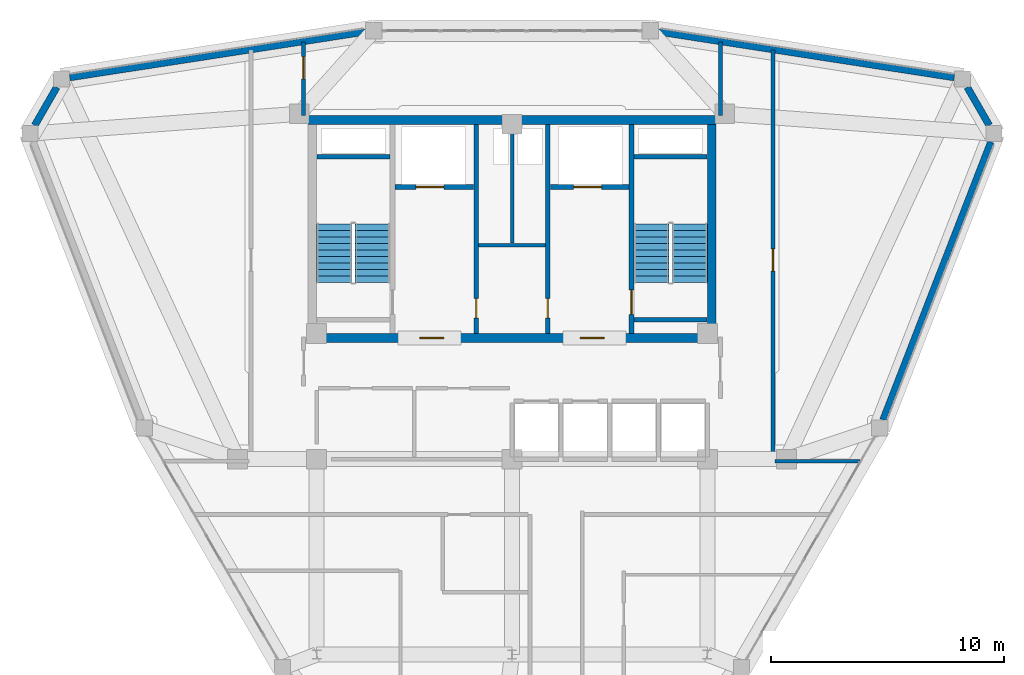
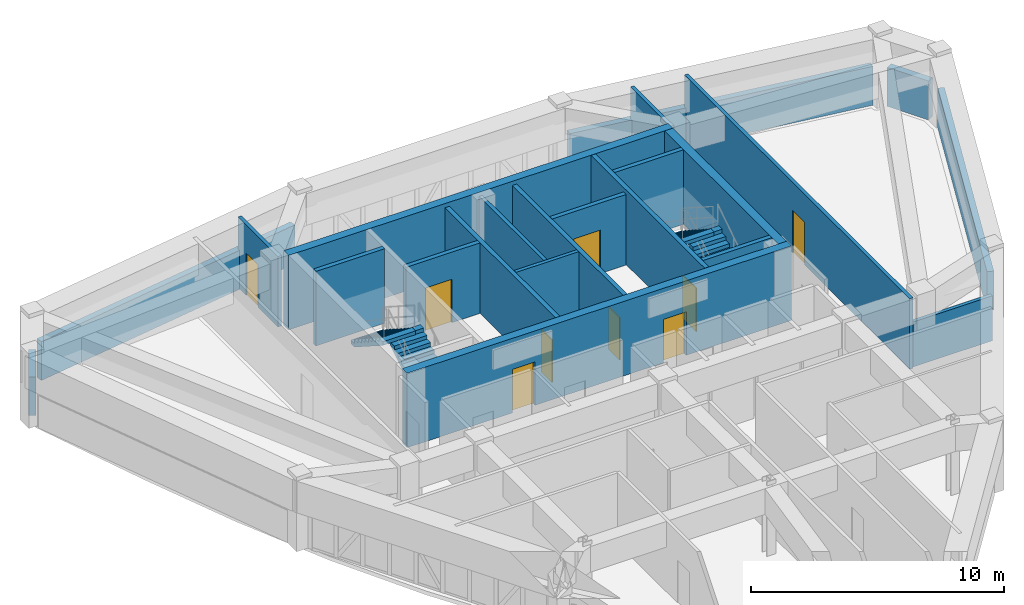
# One storey, part 12 of 14: 22 walls, 9 doors, 4 stair flights, 9 openings, 2 elements without a shape of their own.
"""IFC4 building model written with IfcOpenShell, lengths in metres."""

import ifcopenshell
import ifcopenshell.guid

model = None  # the IFC model being written
_history = None  # IfcOwnerHistory: only IFC2X3 demands one
_inside = {}  # id of a spatial element -> (the spatial element, [elements in it])
_under = {}  # id of a project, library or spatial element -> (it, [spatial elements below it])
_declared = {}  # id of a project -> (the project, [libraries it declares])
_typed = {}  # id of a type object -> (the type object, [elements of that type])
_made_of = {}  # id of a material, layer set ... -> (it, [elements and type objects made of it])


def new_model(schema):
    """Start an empty IFC model of exactly this schema.

    Asked for "IFC4X3", IfcOpenShell would pick the latest addendum, in which some entities
    have other attributes; the version numbers below select the first issue.
    IFC2X3 requires an IfcOwnerHistory on every rooted entity: one is made here for all.
    """
    global model, _history
    if schema == "IFC4X3":
        model = ifcopenshell.file(schema_version=(4, 3, 0, 0))
    else:
        model = ifcopenshell.file(schema=schema)
    _inside.clear()
    _under.clear()
    _declared.clear()
    _typed.clear()
    _made_of.clear()
    _history = None
    if model.schema == "IFC2X3":
        org = make("IfcOrganization", Name="unknown")
        user = make(
            "IfcPersonAndOrganization",
            ThePerson=make("IfcPerson", FamilyName="unknown"),
            TheOrganization=org,
        )
        app = make(
            "IfcApplication",
            ApplicationDeveloper=org,
            Version="unknown",
            ApplicationFullName="unknown",
            ApplicationIdentifier="unknown",
        )
        _history = make(
            "IfcOwnerHistory",
            OwningUser=user,
            OwningApplication=app,
            ChangeAction="ADDED",
            CreationDate=0,
        )
    return model


def make(cls, **values):
    """One entity of the class cls with the attributes given. An attribute that is None is left unset."""
    return model.create_entity(
        cls, **{name: value for name, value in values.items() if value is not None}
    )


def rooted(cls, **values):
    """An entity with a GlobalId (a new one), such as an element, a storey or a relation."""
    return make(cls, GlobalId=ifcopenshell.guid.new(), OwnerHistory=_history, **values)


def si_unit(unit_type, name, prefix=None):
    """IfcSIUnit, for example si_unit("LENGTHUNIT", "METRE", prefix="MILLI")."""
    return make("IfcSIUnit", UnitType=unit_type, Prefix=prefix, Name=name)


def derived_unit(unit_type, elements):
    """IfcDerivedUnit: a product of units, each with its exponent."""
    return make(
        "IfcDerivedUnit",
        Elements=[
            make("IfcDerivedUnitElement", Unit=unit, Exponent=power)
            for unit, power in elements
        ],
        UnitType=unit_type,
    )


def assignment(units):
    """IfcUnitAssignment: the units of a project."""
    return None if units is None else make("IfcUnitAssignment", Units=units)


def point(xyz):
    """IfcCartesianPoint."""
    return None if xyz is None else make("IfcCartesianPoint", Coordinates=xyz)


def direction(xyz):
    """IfcDirection."""
    return None if xyz is None else make("IfcDirection", DirectionRatios=xyz)


def frame(location, z_axis=None, x_axis=None):
    """IfcAxis2Placement3D, a coordinate frame: its origin and axes. An axis left out is left unset."""
    return make(
        "IfcAxis2Placement3D",
        Location=point(location),
        Axis=direction(z_axis),
        RefDirection=direction(x_axis),
    )


def frame_2d(location, x_axis=None):
    """IfcAxis2Placement2D, a coordinate frame in the plane: its origin and x axis."""
    return make(
        "IfcAxis2Placement2D", Location=point(location), RefDirection=direction(x_axis)
    )


def origin():
    """The frame at (0, 0, 0) with its axes left unset."""
    return frame((0.0, 0.0, 0.0))


def place(relative_to, where):
    """IfcLocalPlacement: puts the frame where relative to a parent placement (None: the world)."""
    return make(
        "IfcLocalPlacement", PlacementRelTo=relative_to, RelativePlacement=where
    )


def context(
    kind, dimensions, precision=None, world=None, true_north=None, identifier=None
):
    """IfcGeometricRepresentationContext, for example the 3D "Model" context."""
    return make(
        "IfcGeometricRepresentationContext",
        ContextIdentifier=identifier,
        ContextType=kind,
        CoordinateSpaceDimension=dimensions,
        Precision=precision,
        WorldCoordinateSystem=world,
        TrueNorth=true_north,
    )


def subcontext(parent, identifier, kind, view, scale=None):
    """IfcGeometricRepresentationSubContext, for example "Body" below "Model"."""
    return make(
        "IfcGeometricRepresentationSubContext",
        ContextIdentifier=identifier,
        ContextType=kind,
        ParentContext=parent,
        TargetScale=scale,
        TargetView=view,
    )


def project(units=None, contexts=None):
    """IfcProject with its units and contexts."""
    return rooted(
        "IfcProject",
        Name="project",
        RepresentationContexts=contexts,
        UnitsInContext=assignment(units),
    )


def spatial(cls, under=None, at=None, **own):
    """A site, building, storey or space (cls), placed at a placement, below another one or the project."""
    s = rooted(cls, ObjectPlacement=at, **own)
    if under is not None:
        _under.setdefault(under.id(), (under, []))[1].append(s)
    return s


def polyline(points):
    """IfcPolyline through the points."""
    return make("IfcPolyline", Points=[point(p) for p in points])


def profile(cls, at=None, kind="AREA", **sizes):
    """A parametric profile (cls). Its sizes go by their IFC names, for example OverallWidth=200.0."""
    return make(cls, ProfileType=kind, Position=at, **sizes)


def rectangle(**sizes):
    """IfcRectangleProfileDef."""
    return profile("IfcRectangleProfileDef", **sizes)


def outline(outer, holes=None, kind="AREA"):
    """IfcArbitraryClosedProfileDef: a profile drawn as a closed curve; with holes, ...WithVoids."""
    if holes is None:
        return make("IfcArbitraryClosedProfileDef", ProfileType=kind, OuterCurve=outer)
    return make(
        "IfcArbitraryProfileDefWithVoids",
        ProfileType=kind,
        OuterCurve=outer,
        InnerCurves=holes,
    )


def extrude(swept, where, along, depth):
    """IfcExtrudedAreaSolid: the profile swept, set in the frame where, extruded along a direction by depth."""
    return make(
        "IfcExtrudedAreaSolid",
        SweptArea=swept,
        Position=where,
        ExtrudedDirection=direction(along),
        Depth=depth,
    )


def shape(context_of_items, identifier, shape_type, items):
    """IfcShapeRepresentation: the items that make up one representation, for example the "Body"."""
    return make(
        "IfcShapeRepresentation",
        ContextOfItems=context_of_items,
        RepresentationIdentifier=identifier,
        RepresentationType=shape_type,
        Items=items,
    )


def material(Name=None, Category=None):
    """IfcMaterial."""
    return make("IfcMaterial", Name=Name, Category=Category)


def layer(
    of_material, thickness, ventilated=None, Name=None, Category=None, Priority=None
):
    """IfcMaterialLayer: one layer of a wall or slab, of a material (None: an air gap)."""
    return make(
        "IfcMaterialLayer",
        Material=of_material,
        LayerThickness=thickness,
        IsVentilated=ventilated,
        Name=Name,
        Category=Category,
        Priority=Priority,
    )


def layer_set(layers, Name=None):
    """IfcMaterialLayerSet."""
    return make("IfcMaterialLayerSet", MaterialLayers=layers, LayerSetName=Name)


def made_of(thing, what):
    """Note that an element or type object is made of a material, layer set ...; save() writes the relation."""
    if what is not None:
        _made_of.setdefault(what.id(), (what, []))[1].append(thing)
    return thing


def type_object(cls, material=None, **own):
    """A type object (cls), such as IfcWallType, which elements share."""
    return made_of(rooted(cls, **own), material)


def element(
    cls,
    number,
    at=None,
    inside=None,
    cuts=None,
    type_object=None,
    material=None,
    context=None,
    identifier="Body",
    shape_type=None,
    held_by="IfcProductDefinitionShape",
    body=None,
    shapes=None,
    **own,
):
    """One element of the class cls, such as IfcWall. Its Tag is "e" and its number.

    at: its placement. inside: the storey or other place that contains it. cuts: it is an
    opening in that element (IfcRelVoidsElement). A single representation is given by context,
    identifier, shape_type and body (its items); several are given by shapes. held_by: the class
    of the entity that holds the representations. save() writes the other relations.
    """
    e = rooted(cls, Tag="e%d" % number, ObjectPlacement=at, **own)
    if body is not None:
        shapes = [shape(context, identifier, shape_type, body)]
    if shapes is not None:
        e.Representation = make(held_by, Representations=shapes)
    if inside is not None:
        _inside.setdefault(inside.id(), (inside, []))[1].append(e)
    if cuts is not None:
        rooted(
            "IfcRelVoidsElement", RelatingBuildingElement=cuts, RelatedOpeningElement=e
        )
    if type_object is not None:
        _typed.setdefault(type_object.id(), (type_object, []))[1].append(e)
    return made_of(e, material)


def fill(opening, filler):
    """IfcRelFillsElement: the door or window that sits in an opening."""
    return rooted(
        "IfcRelFillsElement",
        RelatingOpeningElement=opening,
        RelatedBuildingElement=filler,
    )


def aggregate(whole, parts):
    """IfcRelAggregates: a whole, such as a stair, and the parts it consists of."""
    return rooted("IfcRelAggregates", RelatingObject=whole, RelatedObjects=parts)


def save(model, path):
    """Write the relations noted so far, then the file.

    IfcRelAggregates (storeys below a building ...), IfcRelContainedInSpatialStructure (elements
    in a storey), IfcRelDefinesByType, IfcRelAssociatesMaterial and IfcRelDeclares: one each for
    every whole, place, type object, material and project.
    """
    for whole, parts in _under.values():
        aggregate(whole, parts)
    for where, things in _inside.values():
        rooted(
            "IfcRelContainedInSpatialStructure",
            RelatedElements=things,
            RelatingStructure=where,
        )
    for kind, things in _typed.values():
        rooted("IfcRelDefinesByType", RelatedObjects=things, RelatingType=kind)
    for what, things in _made_of.values():
        rooted("IfcRelAssociatesMaterial", RelatedObjects=things, RelatingMaterial=what)
    for by, libraries in _declared.values():
        rooted("IfcRelDeclares", RelatingContext=by, RelatedDefinitions=libraries)
    model.write(path)


model = new_model("IFC4")

# Units and contexts
model_context = context("Model", 3, precision=1e-05, world=origin(), true_north=direction((0.0, 1.0)))
body_context = subcontext(model_context, "Body", "Model", "MODEL_VIEW")
ifc_project = project(units=[si_unit("LENGTHUNIT", "METRE"), si_unit("AREAUNIT", "SQUARE_METRE"), si_unit("VOLUMEUNIT", "CUBIC_METRE"), si_unit("PLANEANGLEUNIT", "RADIAN"), si_unit("MASSUNIT", "GRAM", prefix="KILO"), derived_unit("THERMALTRANSMITTANCEUNIT", [(si_unit("POWERUNIT", "WATT"), 1), (si_unit("LENGTHUNIT", "METRE"), -2), (si_unit("THERMODYNAMICTEMPERATUREUNIT", "KELVIN"), -1)])], contexts=[model_context])

# Site, building, storey
site_placement = place(None, origin())
site = spatial("IfcSite", under=ifc_project, at=site_placement, CompositionType="ELEMENT")
building_placement = place(site_placement, origin())
building = spatial("IfcBuilding", under=site, at=building_placement, Name="Korsvarv Bourse and Concert Hall", CompositionType="ELEMENT")
storey_placement = place(building_placement, frame((0.0, 0.0, 257.39990234375)))
storey = spatial("IfcBuildingStorey", under=building, at=storey_placement, Name="L67", CompositionType="ELEMENT", Elevation=257.39990234375)

# Wall
ifc_material_1 = material(Name="Concrete C50/60", Category="concrete")
ifc_layer_1 = layer(ifc_material_1, 0.3798828125)
ifc_layer_set_1 = layer_set([ifc_layer_1], Name="Concrete C50/60")
wall_type_1 = type_object("IfcWallType", Name="WL-CORE-380", PredefinedType="SHEAR", material=ifc_layer_set_1)
wall_1_placement = place(storey_placement, frame((27.219970703125, 46.989990234375, 0.0), z_axis=(0.0, 0.0, 1.0), x_axis=(1.0, 0.0, 0.0)))
element("IfcWall", 1, at=wall_1_placement, inside=storey, type_object=wall_type_1, Name="L67 North Core Shear Wall", PredefinedType="SHEAR", context=body_context, shape_type="SweptSolid", body=[
    extrude(rectangle(XDim=17.56005859375, YDim=0.3798828125, at=frame_2d((8.780029296875, 0.0))), origin(), (0.0, 0.0, 1.0), 3.60009765625),
])

# Wall, openings, doors
wall_2_placement = place(storey_placement, frame((27.219970703125, 37.610107421875, 0.0), z_axis=(0.0, 0.0, 1.0), x_axis=(1.0, 0.0, 0.0)))
wall_2 = element("IfcWall", 2, at=wall_2_placement, inside=storey, type_object=wall_type_1, Name="L67 South Core Shear Wall", PredefinedType="SHEAR", context=body_context, shape_type="SweptSolid", body=[
    extrude(rectangle(XDim=17.56005859375, YDim=0.3798828125, at=frame_2d((8.780029296875, 0.0))), origin(), (0.0, 0.0, 1.0), 3.60009765625),
])
opening_1_placement = place(wall_2_placement, frame((4.804931640625, 0.0, 0.0)))
opening_1 = element("IfcOpeningElement", 3, at=opening_1_placement, cuts=wall_2, Name="Opening D-01", PredefinedType="OPENING", context=body_context, shape_type="SweptSolid", body=[
    extrude(rectangle(XDim=1.050048828125, YDim=2.10009765625, at=frame_2d((0.52490234375, 1.050048828125))), frame((0.0, 0.199951171875, 0.0), z_axis=(0.0, -1.0, 0.0), x_axis=(1.0, 0.0, 0.0)), (0.0, 0.0, 1.0), 0.39990234375),
])
opening_2_placement = place(wall_2_placement, frame((11.705078125, 0.0, 0.0)))
opening_2 = element("IfcOpeningElement", 4, at=opening_2_placement, cuts=wall_2, Name="Opening D-01", PredefinedType="OPENING", context=body_context, shape_type="SweptSolid", body=[
    extrude(rectangle(XDim=1.050048828125, YDim=2.10009765625, at=frame_2d((0.52490234375, 1.050048828125))), frame((0.0, 0.199951171875, 0.0), z_axis=(0.0, -1.0, 0.0), x_axis=(1.0, 0.0, 0.0)), (0.0, 0.0, 1.0), 0.39990234375),
])
ifc_material_2 = material(Name="Steel S355 fire door", Category="steel")
door_type_1 = type_object("IfcDoorType", Name="DR-FD60", OperationType="NOTDEFINED", PredefinedType="DOOR", material=ifc_material_2)
door_1_placement = place(opening_1_placement, frame((1.050048828125, 0.0, 0.0), z_axis=(0.0, 0.0, 1.0), x_axis=(-1.0, 0.0, 0.0)))
door_1 = element("IfcDoor", 5, at=door_1_placement, inside=storey, type_object=door_type_1, Name="L67 firefighting lobby fire door DR-L67-FFLW", OperationType="SINGLE_SWING_RIGHT", OverallHeight=2.10009765625, OverallWidth=1.050048828125, PredefinedType="DOOR", context=body_context, shape_type="SweptSolid", body=[
    extrude(rectangle(XDim=1.050048828125, YDim=2.10009765625, at=frame_2d((0.52490234375, 1.050048828125))), frame((0.0, 0.02490234375, 0.0), z_axis=(0.0, -1.0, 0.0), x_axis=(1.0, 0.0, 0.0)), (0.0, 0.0, 1.0), 0.050048828125),
])
fill(opening_1, door_1)
door_2_placement = place(opening_2_placement, frame((1.050048828125, 0.0, 0.0), z_axis=(0.0, 0.0, 1.0), x_axis=(-1.0, 0.0, 0.0)))
door_2 = element("IfcDoor", 6, at=door_2_placement, inside=storey, type_object=door_type_1, Name="L67 firefighting lobby fire door DR-L67-FFLE", OperationType="SINGLE_SWING_LEFT", OverallHeight=2.10009765625, OverallWidth=1.050048828125, PredefinedType="DOOR", context=body_context, shape_type="SweptSolid", body=[
    extrude(rectangle(XDim=1.050048828125, YDim=2.10009765625, at=frame_2d((0.52490234375, 1.050048828125))), frame((0.0, 0.02490234375, 0.0), z_axis=(0.0, -1.0, 0.0), x_axis=(1.0, 0.0, 0.0)), (0.0, 0.0, 1.0), 0.050048828125),
])
fill(opening_2, door_2)

# Walls
wall_3_placement = place(storey_placement, frame((44.590087890625, 37.800048828125, 0.0), z_axis=(0.0, 0.0, 1.0), x_axis=(0.0, 1.0, 0.0)))
element("IfcWall", 7, at=wall_3_placement, inside=storey, type_object=wall_type_1, Name="L67 East Core Shear Wall", PredefinedType="SHEAR", context=body_context, shape_type="SweptSolid", body=[
    extrude(rectangle(XDim=9.0, YDim=0.3798828125, at=frame_2d((4.5, 0.0))), origin(), (0.0, 0.0, 1.0), 3.60009765625),
])
wall_4_placement = place(storey_placement, frame((27.610107421875, 45.39990234375, 0.0), z_axis=(0.0, 0.0, 1.0), x_axis=(1.0, 0.0, 0.0)))
element("IfcWall", 8, at=wall_4_placement, inside=storey, type_object=wall_type_1, Name="L67 stair shaft structural wall W-L67-ST1-N", PredefinedType="SHEAR", context=body_context, shape_type="SweptSolid", body=[
    extrude(rectangle(XDim=3.139892578125, YDim=0.199951171875, at=frame_2d((1.56982421875, 0.0))), origin(), (0.0, 0.0, 1.0), 3.60009765625),
])

# Wall, opening, door
wall_5_placement = place(storey_placement, frame((41.139892578125, 37.81005859375, 0.0), z_axis=(0.0, 0.0, 1.0), x_axis=(0.0, 1.0, 0.0)))
wall_5 = element("IfcWall", 9, at=wall_5_placement, inside=storey, type_object=wall_type_1, Name="L67 stair shaft structural wall W-L67-ST2-W", PredefinedType="SHEAR", context=body_context, shape_type="SweptSolid", body=[
    extrude(rectangle(XDim=8.97998046875, YDim=0.199951171875, at=frame_2d((4.489990234375, 0.0))), origin(), (0.0, 0.0, 1.0), 3.60009765625),
])
opening_3_placement = place(wall_5_placement, frame((0.820068359375, 0.0, 0.0)))
opening_3 = element("IfcOpeningElement", 10, at=opening_3_placement, cuts=wall_5, Name="Opening D-01", PredefinedType="OPENING", context=body_context, shape_type="SweptSolid", body=[
    extrude(rectangle(XDim=1.050048828125, YDim=2.10009765625, at=frame_2d((0.52490234375, 1.050048828125))), frame((0.0, 0.10986328125, 0.0), z_axis=(0.0, -1.0, 0.0), x_axis=(1.0, 0.0, 0.0)), (0.0, 0.0, 1.0), 0.219970703125),
])
door_3_placement = place(opening_3_placement, frame((1.050048828125, 0.0, 0.0), z_axis=(0.0, 0.0, 1.0), x_axis=(-1.0, 0.0, 0.0)))
door_3 = element("IfcDoor", 11, at=door_3_placement, inside=storey, type_object=door_type_1, Name="L67 interior door DR-L67-ST2", OperationType="SINGLE_SWING_LEFT", OverallHeight=2.10009765625, OverallWidth=1.050048828125, PredefinedType="DOOR", context=body_context, shape_type="SweptSolid", body=[
    extrude(rectangle(XDim=1.050048828125, YDim=2.10009765625, at=frame_2d((0.52490234375, 1.050048828125))), frame((0.0, 0.02490234375, 0.0), z_axis=(0.0, -1.0, 0.0), x_axis=(1.0, 0.0, 0.0)), (0.0, 0.0, 1.0), 0.050048828125),
])
fill(opening_3, door_3)

# Walls
for number, where, z_axis, x_axis, name in (
    (12, (41.25, 45.39990234375, 0.0), (0.0, 0.0, 1.0), (1.0, 0.0, 0.0), "L67 stair shaft structural wall W-L67-ST2-N"),
    (13, (41.25, 38.39990234375, 0.0), (0.0, 0.0, 1.0), (1.0, 0.0, 0.0), "L67 stair shaft structural wall W-L67-ST2-S"),
):
    element("IfcWall", number, at=place(storey_placement, frame(where, z_axis=z_axis, x_axis=x_axis)), inside=storey, type_object=wall_type_1, Name=name, PredefinedType="SHEAR", context=body_context, shape_type="SweptSolid", body=[
        extrude(rectangle(XDim=3.139892578125, YDim=0.199951171875, at=frame_2d((1.56982421875, 0.0))), origin(), (0.0, 0.0, 1.0), 3.60009765625),
    ])
ifc_material_3 = material(Name="Precast concrete C45/55 with terracotta rainscreen", Category="concrete")
ifc_layer_2 = layer(ifc_material_3, 0.300048828125)
ifc_layer_set_2 = layer_set([ifc_layer_2], Name="Precast concrete C45/55 with terracotta rainscreen")
wall_type_2 = type_object("IfcWallType", Name="WL-EXT-TC1", PredefinedType="SOLIDWALL", material=ifc_layer_set_2)
for number, where, z_axis, x_axis, name in (
    (14, (56.520263671875, 46.754150390625, 0.0), (0.0, 0.0, 1.0), (-0.499994028088, 0.866028851642, 0.0), "L67 terracotta exterior wall EW-L67-B01"),
    (15, (16.426513671875, 48.39404296875, 0.0), (0.0, 0.0, 1.0), (-0.499994028088, -0.866028851642, 0.0), "L67 terracotta exterior wall EW-L67-B05"),
):
    element("IfcWall", number, at=place(storey_placement, frame(where, z_axis=z_axis, x_axis=x_axis)), inside=storey, type_object=wall_type_2, Name=name, PredefinedType="SOLIDWALL", context=body_context, shape_type="SweptSolid", body=[
        extrude(rectangle(XDim=1.8935546875, YDim=0.300048828125, at=frame_2d((0.94677734375, 0.0))), origin(), (0.0, 0.0, 1.0), 1.880126953125),
    ])
ifc_material_4 = material(Name="Precast concrete C45/55 with fluted terracotta pier", Category="concrete")
ifc_layer_3 = layer(ifc_material_4, 0.280029296875)
ifc_layer_set_3 = layer_set([ifc_layer_3], Name="Precast concrete C45/55 with fluted terracotta pier")
wall_type_3 = type_object("IfcWallType", Name="WL-EXT-TC2", PredefinedType="SOLIDWALL", material=ifc_layer_set_3)
for number, where, z_axis, x_axis, name in (
    (16, (55.013427734375, 48.8037109375, 0.0), (0.0, 0.0, 1.0), (-0.988274295057, 0.152688957457, 0.0), "L67 terracotta exterior wall EW-L67-B02"),
    (17, (29.69921875, 50.767822265625, 0.0), (0.0, 0.0, 1.0), (-0.988274295057, -0.152688957457, 0.0), "L67 terracotta exterior wall EW-L67-B04"),
):
    element("IfcWall", number, at=place(storey_placement, frame(where, z_axis=z_axis, x_axis=x_axis)), inside=storey, type_object=wall_type_3, Name=name, PredefinedType="SOLIDWALL", context=body_context, shape_type="SweptSolid", body=[
        extrude(rectangle(XDim=12.863525390625, YDim=0.280029296875, at=frame_2d((6.431640625, 0.0))), origin(), (0.0, 0.0, 1.0), 1.880126953125),
    ])
wall_6_placement = place(storey_placement, frame((51.947509765625, 34.0927734375, 0.0), z_axis=(0.0, 0.0, 1.0), x_axis=(0.36191228283, 0.932212153716, 0.0)))
element("IfcWall", 18, at=wall_6_placement, inside=storey, type_object=wall_type_3, Name="L67 terracotta exterior wall EW-L67-B12", PredefinedType="SOLIDWALL", context=body_context, shape_type="SweptSolid", body=[
    extrude(rectangle(XDim=12.820556640625, YDim=0.280029296875, at=frame_2d((6.41015625, 0.0))), origin(), (0.0, 0.0, 1.0), 1.880126953125),
])

# Wall, opening, door
ifc_material_5 = material(Name="Reinforced concrete blockwork C35/45 fire wall", Category="concrete")
ifc_layer_4 = layer(ifc_material_5, 0.199951171875)
ifc_layer_set_4 = layer_set([ifc_layer_4], Name="Reinforced concrete blockwork C35/45 fire wall")
wall_type_4 = type_object("IfcWallType", Name="WL-INT-EI120", PredefinedType="PARTITIONING", material=ifc_layer_set_4)
wall_7_placement = place(storey_placement, frame((30.969970703125, 44.10009765625, 0.0), z_axis=(0.0, 0.0, 1.0), x_axis=(1.0, 0.0, 0.0)))
wall_7 = element("IfcWall", 19, at=wall_7_placement, inside=storey, type_object=wall_type_4, Name="L67 interior partition wall W-L67-FF1-S", PredefinedType="PARTITIONING", context=body_context, shape_type="SweptSolid", body=[
    extrude(rectangle(XDim=3.380126953125, YDim=0.199951171875, at=frame_2d((1.68994140625, 0.0))), origin(), (0.0, 0.0, 1.0), 3.41015625),
])
opening_4_placement = place(wall_7_placement, frame((0.89990234375, 0.0, 0.0)))
opening_4 = element("IfcOpeningElement", 20, at=opening_4_placement, cuts=wall_7, Name="Opening LD-1", PredefinedType="OPENING", context=body_context, shape_type="SweptSolid", body=[
    extrude(rectangle(XDim=1.199951171875, YDim=2.10009765625, at=frame_2d((0.60009765625, 1.050048828125))), frame((0.0, 0.10986328125, 0.0), z_axis=(0.0, -1.0, 0.0), x_axis=(1.0, 0.0, 0.0)), (0.0, 0.0, 1.0), 0.219970703125),
])
ifc_material_6 = material(Name="Stainless Steel S355 firefighting lift landing door", Category="steel")
door_type_2 = type_object("IfcDoorType", Name="DR-LIFT-FF", OperationType="DOUBLE_DOOR_SLIDING", PredefinedType="DOOR", material=ifc_material_6)
door_4_placement = place(opening_4_placement, origin())
door_4 = element("IfcDoor", 21, at=door_4_placement, inside=storey, type_object=door_type_2, Name="L67 lift sliding landing door LD-L67-FF1", OperationType="DOUBLE_DOOR_SLIDING", OverallHeight=2.10009765625, OverallWidth=1.199951171875, PredefinedType="DOOR", context=body_context, shape_type="SweptSolid", body=[
    extrude(rectangle(XDim=1.199951171875, YDim=2.10009765625, at=frame_2d((0.60009765625, 1.050048828125))), frame((0.0, 0.02490234375, 0.0), z_axis=(0.0, -1.0, 0.0), x_axis=(1.0, 0.0, 0.0)), (0.0, 0.0, 1.0), 0.050048828125),
])
fill(opening_4, door_4)

wall_8_placement = place(storey_placement, frame((37.64990234375, 44.10009765625, 0.0), z_axis=(0.0, 0.0, 1.0), x_axis=(1.0, 0.0, 0.0)))
wall_8 = element("IfcWall", 22, at=wall_8_placement, inside=storey, type_object=wall_type_4, Name="L67 interior partition wall W-L67-FF2-S", PredefinedType="PARTITIONING", context=body_context, shape_type="SweptSolid", body=[
    extrude(rectangle(XDim=3.380126953125, YDim=0.199951171875, at=frame_2d((1.68994140625, 0.0))), origin(), (0.0, 0.0, 1.0), 3.41015625),
])
opening_5_placement = place(wall_8_placement, frame((1.0, 0.0, 0.0)))
opening_5 = element("IfcOpeningElement", 23, at=opening_5_placement, cuts=wall_8, Name="Opening LD-1", PredefinedType="OPENING", context=body_context, shape_type="SweptSolid", body=[
    extrude(rectangle(XDim=1.199951171875, YDim=2.10009765625, at=frame_2d((0.60009765625, 1.050048828125))), frame((0.0, 0.10986328125, 0.0), z_axis=(0.0, -1.0, 0.0), x_axis=(1.0, 0.0, 0.0)), (0.0, 0.0, 1.0), 0.219970703125),
])
door_5_placement = place(opening_5_placement, origin())
door_5 = element("IfcDoor", 24, at=door_5_placement, inside=storey, type_object=door_type_2, Name="L67 lift sliding landing door LD-L67-FF2", OperationType="DOUBLE_DOOR_SLIDING", OverallHeight=2.10009765625, OverallWidth=1.199951171875, PredefinedType="DOOR", context=body_context, shape_type="SweptSolid", body=[
    extrude(rectangle(XDim=1.199951171875, YDim=2.10009765625, at=frame_2d((0.60009765625, 1.050048828125))), frame((0.0, 0.02490234375, 0.0), z_axis=(0.0, -1.0, 0.0), x_axis=(1.0, 0.0, 0.0)), (0.0, 0.0, 1.0), 0.050048828125),
])
fill(opening_5, door_5)

wall_9_placement = place(storey_placement, frame((34.4599609375, 37.81005859375, 0.0), z_axis=(0.0, 0.0, 1.0), x_axis=(0.0, 1.0, 0.0)))
wall_9 = element("IfcWall", 25, at=wall_9_placement, inside=storey, type_object=wall_type_4, Name="L67 interior partition wall W-L67-CSB-W", PredefinedType="PARTITIONING", context=body_context, shape_type="SweptSolid", body=[
    extrude(rectangle(XDim=8.97998046875, YDim=0.199951171875, at=frame_2d((4.489990234375, 0.0))), origin(), (0.0, 0.0, 1.0), 3.41015625),
])
opening_6_placement = place(wall_9_placement, frame((0.64990234375, 0.0, 0.0)))
opening_6 = element("IfcOpeningElement", 26, at=opening_6_placement, cuts=wall_9, Name="Opening D-05", PredefinedType="OPENING", context=body_context, shape_type="SweptSolid", body=[
    extrude(rectangle(XDim=0.85009765625, YDim=2.050048828125, at=frame_2d((0.425048828125, 1.02490234375))), frame((0.0, 0.10986328125, 0.0), z_axis=(0.0, -1.0, 0.0), x_axis=(1.0, 0.0, 0.0)), (0.0, 0.0, 1.0), 0.219970703125),
])
door_type_3 = type_object("IfcDoorType", Name="DR-FD60-850X2050", OperationType="NOTDEFINED", PredefinedType="DOOR", material=ifc_material_2)
door_6_placement = place(opening_6_placement, frame((0.85009765625, 0.0, 0.0), z_axis=(0.0, 0.0, 1.0), x_axis=(-1.0, 0.0, 0.0)))
door_6 = element("IfcDoor", 27, at=door_6_placement, inside=storey, type_object=door_type_3, Name="L67 interior door DR-L67-CSB1", OperationType="SINGLE_SWING_RIGHT", OverallHeight=2.050048828125, OverallWidth=0.85009765625, PredefinedType="DOOR", context=body_context, shape_type="SweptSolid", body=[
    extrude(rectangle(XDim=0.85009765625, YDim=2.050048828125, at=frame_2d((0.425048828125, 1.02490234375))), frame((0.0, 0.02490234375, 0.0), z_axis=(0.0, -1.0, 0.0), x_axis=(1.0, 0.0, 0.0)), (0.0, 0.0, 1.0), 0.050048828125),
])
fill(opening_6, door_6)

wall_10_placement = place(storey_placement, frame((37.5400390625, 37.81005859375, 0.0), z_axis=(0.0, 0.0, 1.0), x_axis=(0.0, 1.0, 0.0)))
wall_10 = element("IfcWall", 28, at=wall_10_placement, inside=storey, type_object=wall_type_4, Name="L67 interior partition wall W-L67-CSB-E", PredefinedType="PARTITIONING", context=body_context, shape_type="SweptSolid", body=[
    extrude(rectangle(XDim=8.97998046875, YDim=0.199951171875, at=frame_2d((4.489990234375, 0.0))), origin(), (0.0, 0.0, 1.0), 3.41015625),
])
opening_7_placement = place(wall_10_placement, frame((0.64990234375, 0.0, 0.0)))
opening_7 = element("IfcOpeningElement", 29, at=opening_7_placement, cuts=wall_10, Name="Opening D-05", PredefinedType="OPENING", context=body_context, shape_type="SweptSolid", body=[
    extrude(rectangle(XDim=0.85009765625, YDim=2.050048828125, at=frame_2d((0.425048828125, 1.02490234375))), frame((0.0, 0.10986328125, 0.0), z_axis=(0.0, -1.0, 0.0), x_axis=(1.0, 0.0, 0.0)), (0.0, 0.0, 1.0), 0.219970703125),
])
door_7_placement = place(opening_7_placement, origin())
door_7 = element("IfcDoor", 30, at=door_7_placement, inside=storey, type_object=door_type_3, Name="L67 interior door DR-L67-CSB2", OperationType="SINGLE_SWING_LEFT", OverallHeight=2.050048828125, OverallWidth=0.85009765625, PredefinedType="DOOR", context=body_context, shape_type="SweptSolid", body=[
    extrude(rectangle(XDim=0.85009765625, YDim=2.050048828125, at=frame_2d((0.425048828125, 1.02490234375))), frame((0.0, 0.02490234375, 0.0), z_axis=(0.0, -1.0, 0.0), x_axis=(1.0, 0.0, 0.0)), (0.0, 0.0, 1.0), 0.050048828125),
])
fill(opening_7, door_7)

# Walls
ifc_material_7 = material(Name="Double-stud fire-rated acoustic partition", Category="gypsum")
ifc_layer_5 = layer(ifc_material_7, 0.159912109375)
ifc_layer_set_5 = layer_set([ifc_layer_5], Name="Double-stud fire-rated acoustic partition")
wall_type_5 = type_object("IfcWallType", Name="WL-INT-EI60", PredefinedType="PARTITIONING", material=ifc_layer_set_5)
wall_11_placement = place(storey_placement, frame((34.570068359375, 41.60009765625, 0.0), z_axis=(0.0, 0.0, 1.0), x_axis=(1.0, 0.0, 0.0)))
element("IfcWall", 31, at=wall_11_placement, inside=storey, type_object=wall_type_5, Name="L67 interior partition wall W-L67-K1", PredefinedType="PARTITIONING", context=body_context, shape_type="SweptSolid", body=[
    extrude(rectangle(XDim=2.85986328125, YDim=0.159912109375, at=frame_2d((1.429931640625, 0.0))), origin(), (0.0, 0.0, 1.0), 3.41015625),
])
wall_12_placement = place(storey_placement, frame((36.0048828125, 41.68994140625, 0.0), z_axis=(0.0, 0.0, 1.0), x_axis=(0.0, 1.0, 0.0)))
element("IfcWall", 32, at=wall_12_placement, inside=storey, type_object=wall_type_5, Name="L67 interior partition wall W-L67-K2", PredefinedType="PARTITIONING", context=body_context, shape_type="SweptSolid", body=[
    extrude(rectangle(XDim=5.10009765625, YDim=0.159912109375, at=frame_2d((2.550048828125, 0.0))), origin(), (0.0, 0.0, 1.0), 3.41015625),
])

# Wall, opening, door
wall_13_placement = place(storey_placement, frame((47.22509765625, 32.159912109375, 0.0), z_axis=(0.0, 0.0, 1.0), x_axis=(0.0, 1.0, 0.0)))
wall_13 = element("IfcWall", 33, at=wall_13_placement, inside=storey, type_object=wall_type_5, Name="L67 interior partition wall W-L67-TCOR-01", PredefinedType="PARTITIONING", context=body_context, shape_type="SweptSolid", body=[
    extrude(rectangle(XDim=17.8271484375, YDim=0.159912109375, at=frame_2d((8.91357421875, 0.0))), origin(), (0.0, 0.0, 1.0), 3.41015625),
])
opening_8_placement = place(wall_13_placement, frame((8.330322265625, 0.0, 0.0)))
opening_8 = element("IfcOpeningElement", 34, at=opening_8_placement, cuts=wall_13, Name="Opening D-02", PredefinedType="OPENING", context=body_context, shape_type="SweptSolid", body=[
    extrude(rectangle(XDim=0.949951171875, YDim=2.050048828125, at=frame_2d((0.47509765625, 1.02490234375))), frame((0.0, 0.08984375, 0.0), z_axis=(0.0, -1.0, 0.0), x_axis=(1.0, 0.0, 0.0)), (0.0, 0.0, 1.0), 0.179931640625),
])
ifc_material_8 = material(Name="Timber and steel acoustic fire door", Category="wood")
door_type_4 = type_object("IfcDoorType", Name="DR-FD30", OperationType="NOTDEFINED", PredefinedType="DOOR", material=ifc_material_8)
door_8_placement = place(opening_8_placement, origin())
door_8 = element("IfcDoor", 35, at=door_8_placement, inside=storey, type_object=door_type_4, Name="L67 interior door DR-L67-TCOR-NEP1", OperationType="SINGLE_SWING_RIGHT", OverallHeight=2.050048828125, OverallWidth=0.949951171875, PredefinedType="DOOR", context=body_context, shape_type="SweptSolid", body=[
    extrude(rectangle(XDim=0.949951171875, YDim=2.050048828125, at=frame_2d((0.47509765625, 1.02490234375))), frame((0.0, 0.02490234375, 0.0), z_axis=(0.0, -1.0, 0.0), x_axis=(1.0, 0.0, 0.0)), (0.0, 0.0, 1.0), 0.050048828125),
])
fill(opening_8, door_8)

# Wall
wall_14_placement = place(storey_placement, frame((47.306884765625, 32.31494140625, 0.0), z_axis=(0.0, 0.0, 1.0), x_axis=(1.0, 0.0, 0.0)))
element("IfcWall", 36, at=wall_14_placement, inside=storey, type_object=wall_type_5, Name="L67 interior partition wall W-L67-TCOR-08", PredefinedType="PARTITIONING", context=body_context, shape_type="SweptSolid", body=[
    extrude(rectangle(XDim=3.661376953125, YDim=0.159912109375, at=frame_2d((1.83056640625, 0.0))), origin(), (0.0, 0.0, 1.0), 2.170166015625),
])

# Wall, opening, door
wall_15_placement = place(storey_placement, frame((27.034912109375, 47.179931640625, 0.0), z_axis=(0.0, 0.0, 1.0), x_axis=(0.0, 1.0, 0.0)))
wall_15 = element("IfcWall", 37, at=wall_15_placement, inside=storey, type_object=wall_type_5, Name="L67 interior partition wall W-L67-TCOR-09", PredefinedType="PARTITIONING", context=body_context, shape_type="SweptSolid", body=[
    extrude(rectangle(XDim=3.15625, YDim=0.159912109375, at=frame_2d((1.578125, 0.0))), origin(), (0.0, 0.0, 1.0), 3.41015625),
])
opening_9_placement = place(wall_15_placement, frame((1.576171875, 0.0, 0.0)))
opening_9 = element("IfcOpeningElement", 38, at=opening_9_placement, cuts=wall_15, Name="Opening D-02", PredefinedType="OPENING", context=body_context, shape_type="SweptSolid", body=[
    extrude(rectangle(XDim=0.949951171875, YDim=2.050048828125, at=frame_2d((0.47509765625, 1.02490234375))), frame((0.0, 0.08984375, 0.0), z_axis=(0.0, -1.0, 0.0), x_axis=(1.0, 0.0, 0.0)), (0.0, 0.0, 1.0), 0.179931640625),
])
door_9_placement = place(opening_9_placement, origin())
door_9 = element("IfcDoor", 39, at=door_9_placement, inside=storey, type_object=door_type_4, Name="L67 interior door DR-L67-TCOR-NWB4", OperationType="SINGLE_SWING_LEFT", OverallHeight=2.050048828125, OverallWidth=0.949951171875, PredefinedType="DOOR", context=body_context, shape_type="SweptSolid", body=[
    extrude(rectangle(XDim=0.949951171875, YDim=2.050048828125, at=frame_2d((0.47509765625, 1.02490234375))), frame((0.0, 0.02490234375, 0.0), z_axis=(0.0, -1.0, 0.0), x_axis=(1.0, 0.0, 0.0)), (0.0, 0.0, 1.0), 0.050048828125),
])
fill(opening_9, door_9)

# Wall
wall_16_placement = place(storey_placement, frame((44.965087890625, 47.18310546875, 0.0), z_axis=(0.0, 0.0, 1.0), x_axis=(0.0, 1.0, 0.0)))
element("IfcWall", 40, at=wall_16_placement, inside=storey, type_object=wall_type_5, Name="L67 interior partition wall W-L67-TCOR-10", PredefinedType="PARTITIONING", context=body_context, shape_type="SweptSolid", body=[
    extrude(rectangle(XDim=3.153076171875, YDim=0.159912109375, at=frame_2d((1.57666015625, 0.0))), origin(), (0.0, 0.0, 1.0), 3.41015625),
])

# Stair, stair flights
ifc_material_9 = material(Name="Precast concrete C45/55", Category="concrete")
stair_type = type_object("IfcStairType", Name="STR-TYPE-04", PredefinedType="HALF_TURN_STAIR", material=ifc_material_9)
stair_1_placement = place(storey_placement, origin())
stair_1 = element("IfcStair", 41, at=stair_1_placement, inside=storey, type_object=stair_type, Name="L67 Tower West Exit Stair ST-T1", PredefinedType="HALF_TURN_STAIR")
stair_flight_type = type_object("IfcStairFlightType", Name="FLT-TYPE-04", PredefinedType="STRAIGHT", material=ifc_material_9)
stair_flight_1_placement = place(storey_placement, frame((30.010009765625, 40.0, 0.0), z_axis=(0.0, 0.0, 1.0), x_axis=(0.0, 1.0, 0.0)))
stair_flight_1 = element("IfcStairFlight", 42, at=stair_flight_1_placement, type_object=stair_flight_type, Name="ST-T1 flight 1", NumberOfRisers=10, NumberOfTreads=9, PredefinedType="STRAIGHT", RiserHeight=0.18, TreadLength=0.28, context=body_context, shape_type="SweptSolid", body=[
    extrude(outline(polyline([(0.0, 0.0), (0.0, 0.179931640625), (0.280029296875, 0.179931640625), (0.280029296875, 0.360107421875), (0.56005859375, 0.360107421875), (0.56005859375, 0.5400390625), (0.840087890625, 0.5400390625), (0.840087890625, 0.719970703125), (1.1201171875, 0.719970703125), (1.1201171875, 0.89990234375), (1.39990234375, 0.89990234375), (1.39990234375, 1.080078125), (1.679931640625, 1.080078125), (1.679931640625, 1.260009765625), (1.9599609375, 1.260009765625), (1.9599609375, 1.43994140625), (2.239990234375, 1.43994140625), (2.239990234375, 1.6201171875), (2.52001953125, 1.6201171875), (2.52001953125, 1.800048828125), (2.52001953125, 1.44189453125), (0.277099609375, 0.0), (0.0, 0.0)])), frame((0.0, 0.75, 0.0), z_axis=(0.0, -1.0, 0.0), x_axis=(1.0, 0.0, 0.0)), (0.0, 0.0, 1.0), 1.5),
])
stair_flight_2_placement = place(storey_placement, frame((28.35009765625, 42.52001953125, 1.800048828125), z_axis=(0.0, 0.0, 1.0), x_axis=(0.0, -1.0, 0.0)))
stair_flight_2 = element("IfcStairFlight", 43, at=stair_flight_2_placement, type_object=stair_flight_type, Name="ST-T1 flight 2", NumberOfRisers=10, NumberOfTreads=9, PredefinedType="STRAIGHT", RiserHeight=0.18, TreadLength=0.28, context=body_context, shape_type="SweptSolid", body=[
    extrude(outline(polyline([(0.0, 0.0), (0.0, 0.179931640625), (0.280029296875, 0.179931640625), (0.280029296875, 0.360107421875), (0.56005859375, 0.360107421875), (0.56005859375, 0.5400390625), (0.840087890625, 0.5400390625), (0.840087890625, 0.719970703125), (1.1201171875, 0.719970703125), (1.1201171875, 0.89990234375), (1.39990234375, 0.89990234375), (1.39990234375, 1.080078125), (1.679931640625, 1.080078125), (1.679931640625, 1.260009765625), (1.9599609375, 1.260009765625), (1.9599609375, 1.43994140625), (2.239990234375, 1.43994140625), (2.239990234375, 1.6201171875), (2.52001953125, 1.6201171875), (2.52001953125, 1.800048828125), (2.52001953125, 1.44189453125), (0.277099609375, 0.0), (0.0, 0.0)])), frame((0.0, 0.75, 0.0), z_axis=(0.0, -1.0, 0.0), x_axis=(1.0, 0.0, 0.0)), (0.0, 0.0, 1.0), 1.5),
])
aggregate(stair_1, [stair_flight_1, stair_flight_2])

stair_2_placement = place(storey_placement, origin())
stair_2 = element("IfcStair", 44, at=stair_2_placement, inside=storey, type_object=stair_type, Name="L67 Tower East Exit Stair ST-T2", PredefinedType="HALF_TURN_STAIR")
stair_flight_3_placement = place(storey_placement, frame((43.64990234375, 40.0, 0.0), z_axis=(0.0, 0.0, 1.0), x_axis=(0.0, 1.0, 0.0)))
stair_flight_3 = element("IfcStairFlight", 45, at=stair_flight_3_placement, type_object=stair_flight_type, Name="ST-T2 flight 1", NumberOfRisers=10, NumberOfTreads=9, PredefinedType="STRAIGHT", RiserHeight=0.18, TreadLength=0.28, context=body_context, shape_type="SweptSolid", body=[
    extrude(outline(polyline([(0.0, 0.0), (0.0, 0.179931640625), (0.280029296875, 0.179931640625), (0.280029296875, 0.360107421875), (0.56005859375, 0.360107421875), (0.56005859375, 0.5400390625), (0.840087890625, 0.5400390625), (0.840087890625, 0.719970703125), (1.1201171875, 0.719970703125), (1.1201171875, 0.89990234375), (1.39990234375, 0.89990234375), (1.39990234375, 1.080078125), (1.679931640625, 1.080078125), (1.679931640625, 1.260009765625), (1.9599609375, 1.260009765625), (1.9599609375, 1.43994140625), (2.239990234375, 1.43994140625), (2.239990234375, 1.6201171875), (2.52001953125, 1.6201171875), (2.52001953125, 1.800048828125), (2.52001953125, 1.44189453125), (0.277099609375, 0.0), (0.0, 0.0)])), frame((0.0, 0.75, 0.0), z_axis=(0.0, -1.0, 0.0), x_axis=(1.0, 0.0, 0.0)), (0.0, 0.0, 1.0), 1.5),
])
stair_flight_4_placement = place(storey_placement, frame((41.989990234375, 42.52001953125, 1.800048828125), z_axis=(0.0, 0.0, 1.0), x_axis=(0.0, -1.0, 0.0)))
stair_flight_4 = element("IfcStairFlight", 46, at=stair_flight_4_placement, type_object=stair_flight_type, Name="ST-T2 flight 2", NumberOfRisers=10, NumberOfTreads=9, PredefinedType="STRAIGHT", RiserHeight=0.18, TreadLength=0.28, context=body_context, shape_type="SweptSolid", body=[
    extrude(outline(polyline([(0.0, 0.0), (0.0, 0.179931640625), (0.280029296875, 0.179931640625), (0.280029296875, 0.360107421875), (0.56005859375, 0.360107421875), (0.56005859375, 0.5400390625), (0.840087890625, 0.5400390625), (0.840087890625, 0.719970703125), (1.1201171875, 0.719970703125), (1.1201171875, 0.89990234375), (1.39990234375, 0.89990234375), (1.39990234375, 1.080078125), (1.679931640625, 1.080078125), (1.679931640625, 1.260009765625), (1.9599609375, 1.260009765625), (1.9599609375, 1.43994140625), (2.239990234375, 1.43994140625), (2.239990234375, 1.6201171875), (2.52001953125, 1.6201171875), (2.52001953125, 1.800048828125), (2.52001953125, 1.44189453125), (0.277099609375, 0.0), (0.0, 0.0)])), frame((0.0, 0.75, 0.0), z_axis=(0.0, -1.0, 0.0), x_axis=(1.0, 0.0, 0.0)), (0.0, 0.0, 1.0), 1.5),
])
aggregate(stair_2, [stair_flight_3, stair_flight_4])

save(model, "model.ifc")
